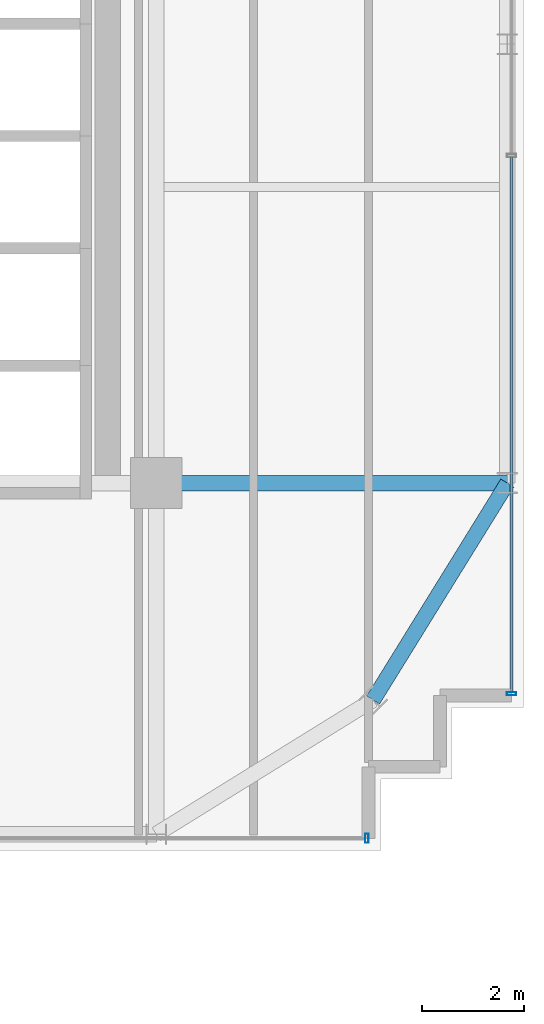
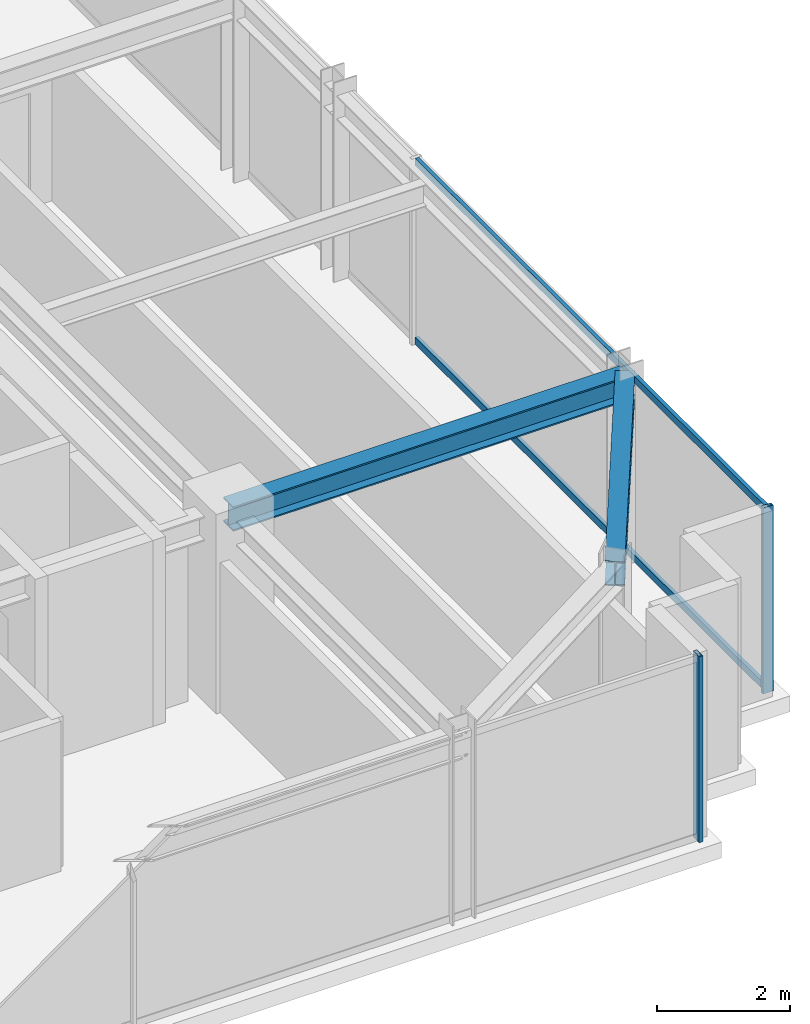
# One storey, part 14 of 35: 4 members, 2 beams, 2 elements without a shape of their own.
"""IFC4 building model written with IfcOpenShell, lengths in metres."""

from ifc_helpers import new_model, si_unit, direction, frame, origin, origin_2d, place, context, subcontext, project, spatial, hollow_rectangle, i_section, extrude, source, transform, mapped, material, material_profile, profile_set, type_object, element, aggregate, save


model = new_model("IFC4")

# Units and contexts
model_context = context("Model", 3, precision=1e-05, world=origin(), true_north=direction((0.0, 1.0)))
body_context = subcontext(model_context, "Body", "Model", "MODEL_VIEW")
ifc_project = project(units=[si_unit("LENGTHUNIT", "METRE"), si_unit("AREAUNIT", "SQUARE_METRE"), si_unit("VOLUMEUNIT", "CUBIC_METRE"), si_unit("PLANEANGLEUNIT", "RADIAN"), si_unit("MASSUNIT", "GRAM", prefix="KILO")], contexts=[model_context])

# Site, building, storey
site_placement = place(None, origin())
site = spatial("IfcSite", under=ifc_project, at=site_placement, CompositionType="ELEMENT")
building_placement = place(site_placement, origin())
building = spatial("IfcBuilding", under=site, at=building_placement, Name="Nahalor Promenade Grand Hotel", CompositionType="ELEMENT")
storey_placement = place(building_placement, frame((0.0, 0.0, 245.60009765625)))
storey = spatial("IfcBuildingStorey", under=building, at=storey_placement, Name="L63", CompositionType="ELEMENT", Elevation=245.60009765625)

# Beams
ifc_material_1 = material(Name="Steel S355JR", Category="steel")
ifc_material_profile_1 = material_profile(ifc_material_1, i_section(OverallWidth=0.3, OverallDepth=0.45, WebThickness=0.014, FlangeThickness=0.026, at=origin_2d()), Name="HEB 450")
ifc_profile_set_1 = profile_set([ifc_material_profile_1], Name="Steel S355JR")
beam_type_1 = type_object("IfcBeamType", Name="Beam-Spandrel-HEB450", PredefinedType="SPANDREL", material=ifc_profile_set_1)
shared_shape_1 = source(origin(), body_context, "Body", "SweptSolid", [
    extrude(i_section(OverallWidth=0.3, OverallDepth=0.45, WebThickness=0.014, FlangeThickness=0.026, at=origin_2d()), origin(), (0.0, 0.0, 1.0), 4.997802734375),
])
beam_1_placement = place(storey_placement, frame((21.25, -21.25, 3.184814453125), z_axis=(0.526199891161, 0.850360908404, 0.0), x_axis=(-0.850360908404, 0.526199891161, 0.0)))
element("IfcBeam", 1, at=beam_1_placement, inside=storey, type_object=beam_type_1, Name="BM-L63-SPC-SE-2", PredefinedType="SPANDREL", context=body_context, shape_type="MappedRepresentation", body=[
    mapped(shared_shape_1, transform((0.0, 0.0, 0.0), scale=1.0)),
])
ifc_material_profile_2 = material_profile(ifc_material_1, i_section(OverallWidth=0.3, OverallDepth=0.45, WebThickness=0.014, FlangeThickness=0.026, at=origin_2d()), Name="HEB 450")
ifc_profile_set_2 = profile_set([ifc_material_profile_2], Name="Steel S355JR")
beam_type_2 = type_object("IfcBeamType", Name="Beam-Girder-HEB450", PredefinedType="BEAM", material=ifc_profile_set_2)
shared_shape_2 = source(origin(), body_context, "Body", "SweptSolid", [
    extrude(i_section(OverallWidth=0.3, OverallDepth=0.45, WebThickness=0.014, FlangeThickness=0.026, at=origin_2d()), origin(), (0.0, 0.0, 1.0), 6.8798828125),
])
beam_2_placement = place(storey_placement, frame((17.0, -17.0, 3.184814453125), z_axis=(1.0, 0.0, 0.0), x_axis=(0.0, 1.0, 0.0)))
element("IfcBeam", 2, at=beam_2_placement, inside=storey, type_object=beam_type_2, Name="BM-L63-GX-0-6", PredefinedType="BEAM", context=body_context, shape_type="MappedRepresentation", body=[
    mapped(shared_shape_2, transform((0.0, 0.0, 0.0), scale=1.0)),
])

# Curtain wall, members
ifc_material_2 = material(Name="Anodised Bronze Aluminium EN AW-6063 T6", Category="aluminium")
curtain_wall_type = type_object("IfcCurtainWallType", Name="CW2 Typical Hotel Flush Bronze Unitised Curtain Wall", PredefinedType="USERDEFINED", material=ifc_material_2)
curtain_wall_1_placement = place(storey_placement, origin())
curtain_wall_1 = element("IfcCurtainWall", 3, at=curtain_wall_1_placement, inside=storey, type_object=curtain_wall_type, Name="L63 Curtain Wall CW-L63-E-1", ObjectType="UNITISED_CURTAIN_WALL", PredefinedType="USERDEFINED")
ifc_material_profile_3 = material_profile(ifc_material_2, hollow_rectangle(XDim=0.065, YDim=0.13, WallThickness=0.004, at=origin_2d()), Name="CWT 65x130x4")
ifc_profile_set_3 = profile_set([ifc_material_profile_3], Name="Anodised Bronze Aluminium EN AW-6063 T6")
member_type_1 = type_object("IfcMemberType", Name="CWT2 Typical Bronze Transom 65x130", PredefinedType="USERDEFINED", material=ifc_profile_set_3)
shared_shape_3 = source(origin(), body_context, "Body", "SweptSolid", [
    extrude(hollow_rectangle(XDim=0.065, YDim=0.13, WallThickness=0.004, at=origin_2d()), origin(), (0.0, 0.0, 1.0), 10.482421875),
])
member_1_placement = place(storey_placement, frame((23.9599609375, -21.094970703125, 0.06494140625), z_axis=(0.0, 1.0, 0.0), x_axis=(-1.0, 0.0, 0.0)))
member_1 = element("IfcMember", 4, at=member_1_placement, type_object=member_type_1, Name="CW-L63-E-1 Transom 0-0", ObjectType="TRANSOM", PredefinedType="USERDEFINED", context=body_context, shape_type="MappedRepresentation", body=[
    mapped(shared_shape_3, transform((0.0, 0.0, 0.0), scale=1.0)),
])
member_2_placement = place(storey_placement, frame((23.9599609375, -21.094970703125, 3.344970703125), z_axis=(0.0, 1.0, 0.0), x_axis=(-1.0, 0.0, 0.0)))
member_2 = element("IfcMember", 5, at=member_2_placement, type_object=member_type_1, Name="CW-L63-E-1 Transom 0-1", ObjectType="TRANSOM", PredefinedType="USERDEFINED", context=body_context, shape_type="MappedRepresentation", body=[
    mapped(shared_shape_3, transform((0.0, 0.0, 0.0), scale=1.0)),
])

# Curtain wall, member
curtain_wall_2_placement = place(storey_placement, origin())
curtain_wall_2 = element("IfcCurtainWall", 6, at=curtain_wall_2_placement, inside=storey, type_object=curtain_wall_type, Name="L63 Curtain Wall CW-L63-S-3", ObjectType="UNITISED_CURTAIN_WALL", PredefinedType="USERDEFINED")
ifc_material_profile_4 = material_profile(ifc_material_2, hollow_rectangle(XDim=0.065, YDim=0.18, WallThickness=0.004, at=origin_2d()), Name="CWM 65x180x4")
ifc_profile_set_4 = profile_set([ifc_material_profile_4], Name="Anodised Bronze Aluminium EN AW-6063 T6")
member_type_2 = type_object("IfcMemberType", Name="CWM2 Typical Bronze Mullion 65x180", PredefinedType="MULLION", material=ifc_profile_set_4)
shared_shape_4 = source(origin(), body_context, "Body", "SweptSolid", [
    extrude(hollow_rectangle(XDim=0.065, YDim=0.18, WallThickness=0.004, at=origin_2d()), origin(), (0.0, 0.0, 1.0), 3.409912109375),
])
member_3_placement = place(storey_placement, frame((21.12744140625, -23.9599609375, 0.0), z_axis=(0.0, 0.0, 1.0), x_axis=(1.0, 0.0, 0.0)))
member_3 = element("IfcMember", 7, at=member_3_placement, type_object=member_type_2, Name="CW-L63-S-3 Mullion 3", PredefinedType="MULLION", context=body_context, shape_type="MappedRepresentation", body=[
    mapped(shared_shape_4, transform((0.0, 0.0, 0.0), scale=1.0)),
])
aggregate(curtain_wall_2, [member_3])

# Member
member_4_placement = place(storey_placement, frame((23.9599609375, -21.12744140625, 0.0), z_axis=(0.0, 0.0, 1.0), x_axis=(0.0, 1.0, 0.0)))
member_4 = element("IfcMember", 8, at=member_4_placement, type_object=member_type_2, Name="CW-L63-E-1 Mullion 0", PredefinedType="MULLION", context=body_context, shape_type="MappedRepresentation", body=[
    mapped(shared_shape_4, transform((0.0, 0.0, 0.0), scale=1.0)),
])

aggregate(curtain_wall_1, [member_4, member_1, member_2])

save(model, "model.ifc")
